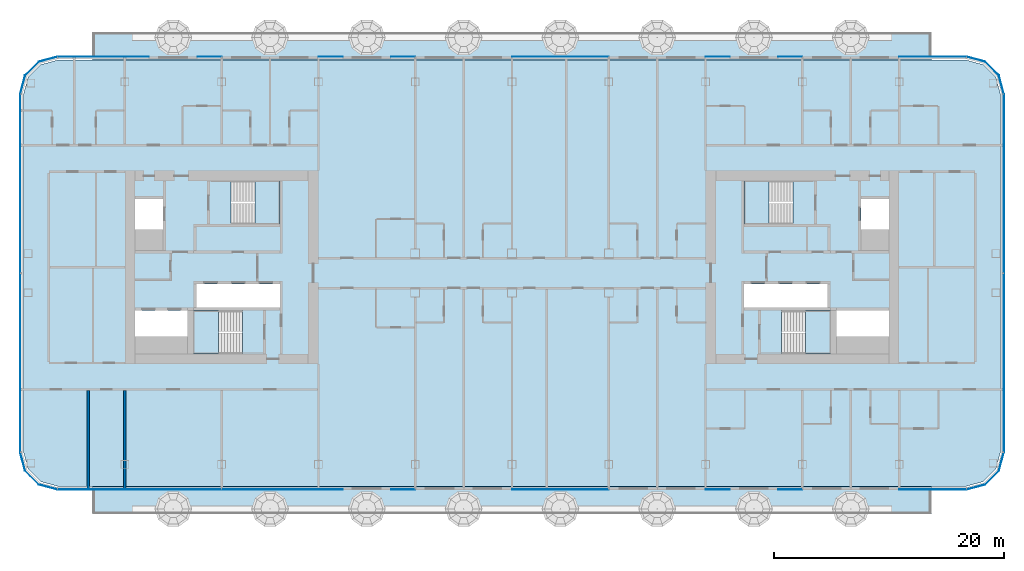
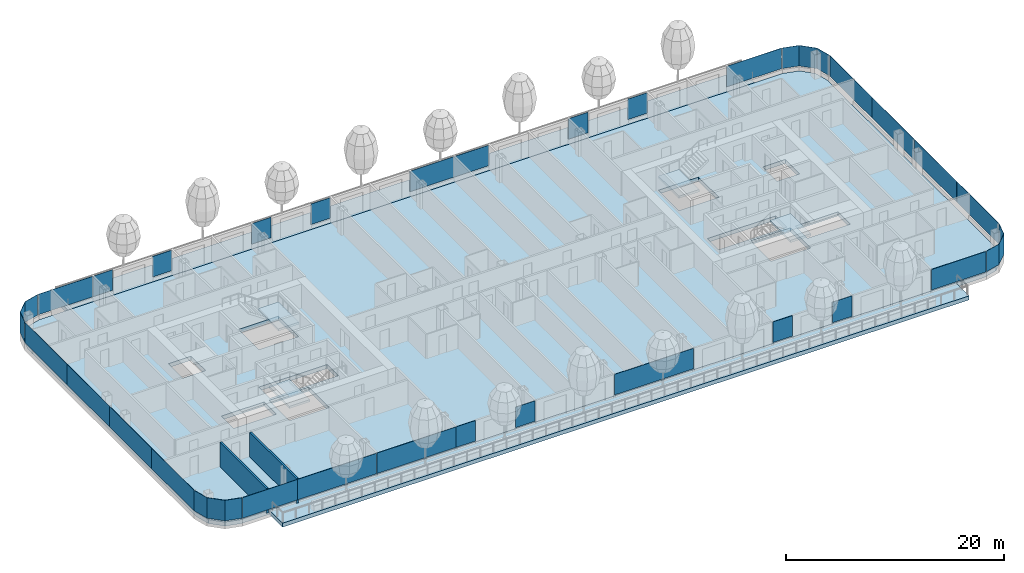
# One storey, part 9 of 30: 30 plates, 7 slabs, 2 walls, 12 elements without a shape of their own.
"""IFC4 building model written with IfcOpenShell, lengths in metres."""

from ifc_helpers import new_model, si_unit, direction, frame, frame_2d, origin, origin_2d, place, context, subcontext, project, spatial, polyline, rectangle, outline, extrude, material, layer, layer_set, type_object, element, aggregate, save


model = new_model("IFC4")

# Units and contexts
model_context = context("Model", 3, precision=1e-05, world=origin(), true_north=direction((0.0, 1.0)))
body_context = subcontext(model_context, "Body", "Model", "MODEL_VIEW")
ifc_project = project(units=[si_unit("LENGTHUNIT", "METRE"), si_unit("AREAUNIT", "SQUARE_METRE"), si_unit("VOLUMEUNIT", "CUBIC_METRE"), si_unit("PLANEANGLEUNIT", "RADIAN"), si_unit("MASSUNIT", "GRAM", prefix="KILO")], contexts=[model_context])

# Site, building, storey
site_placement = place(None, origin())
site = spatial("IfcSite", under=ifc_project, at=site_placement, CompositionType="ELEMENT")
building_placement = place(site_placement, origin())
building = spatial("IfcBuilding", under=site, at=building_placement, Name="Hakoniwa Tower and Hamabe Station Hall", CompositionType="ELEMENT")
storey_placement = place(building_placement, frame((0.0, 0.0, 137.39990234375)))
storey = spatial("IfcBuildingStorey", under=building, at=storey_placement, Name="L38", CompositionType="ELEMENT", Elevation=137.39990234375)

# Slabs
ifc_material_1 = material(Name="Concrete C42", Category="concrete")
ifc_layer_1 = layer(ifc_material_1, 0.25)
ifc_layer_set_1 = layer_set([ifc_layer_1], Name="BALCONY SLAB 250")
slab_type_1 = type_object("IfcSlabType", Name="BALCONY SLAB 250", PredefinedType="FLOOR", material=ifc_layer_set_1)
slab_1_placement = place(storey_placement, frame((0.0, 0.0, -0.449951171875)))
element("IfcSlab", 1, at=slab_1_placement, inside=storey, type_object=slab_type_1, Name="Balcony slab L38 BAL-L38-N", PredefinedType="FLOOR", context=body_context, shape_type="SweptSolid", body=[
    extrude(outline(polyline([(-36.39990234375, 18.0), (36.39990234375, 18.0), (36.39990234375, 20.39990234375), (-36.39990234375, 20.39990234375), (-36.39990234375, 18.0)])), origin(), (0.0, 0.0, 1.0), 0.449951171875),
])
slab_2_placement = place(storey_placement, frame((0.0, 0.0, -0.449951171875)))
element("IfcSlab", 2, at=slab_2_placement, inside=storey, type_object=slab_type_1, Name="Balcony slab L38 BAL-L38-S", PredefinedType="FLOOR", context=body_context, shape_type="SweptSolid", body=[
    extrude(outline(polyline([(-36.39990234375, -21.39990234375), (36.39990234375, -21.39990234375), (36.39990234375, -19.0), (-36.39990234375, -19.0), (-36.39990234375, -21.39990234375)])), origin(), (0.0, 0.0, 1.0), 0.449951171875),
])

# Stair, slab
ifc_material_2 = material(Name="Concrete C40", Category="concrete")
stair_type = type_object("IfcStairType", Name="ESCAPE STAIR 1800", PredefinedType="HALF_TURN_STAIR", material=ifc_material_2)
stair_1_placement = place(storey_placement, origin())
stair_1 = element("IfcStair", 3, at=stair_1_placement, inside=storey, type_object=stair_type, Name="Escape stair ST-1 L38", PredefinedType="HALF_TURN_STAIR")
ifc_material_3 = material(Name="Concrete C40", Category="concrete")
ifc_layer_2 = layer(ifc_material_3, 0.25)
ifc_layer_set_2 = layer_set([ifc_layer_2], Name="CORE STAIR LANDING 250")
slab_type_2 = type_object("IfcSlabType", Name="CORE STAIR LANDING 250", PredefinedType="LANDING", material=ifc_layer_set_2)
slab_3_placement = place(storey_placement, frame((0.0, 0.0, 1.35009765625)))
slab_3 = element("IfcSlab", 4, at=slab_3_placement, type_object=slab_type_2, Name="ST-1 landing 1", PredefinedType="LANDING", context=body_context, shape_type="SweptSolid", body=[
    extrude(outline(polyline([(-22.320068359375, 3.75), (-20.14990234375, 3.75), (-20.14990234375, 7.5), (-22.320068359375, 7.5), (-22.320068359375, 3.75)])), origin(), (0.0, 0.0, 1.0), 0.25),
])
aggregate(stair_1, [slab_3])

stair_2_placement = place(storey_placement, origin())
stair_2 = element("IfcStair", 5, at=stair_2_placement, inside=storey, type_object=stair_type, Name="Escape stair ST-2 L38", PredefinedType="HALF_TURN_STAIR")
slab_4_placement = place(storey_placement, frame((0.0, 0.0, 1.35009765625)))
slab_4 = element("IfcSlab", 6, at=slab_4_placement, type_object=slab_type_2, Name="ST-2 landing 1", PredefinedType="LANDING", context=body_context, shape_type="SweptSolid", body=[
    extrude(outline(polyline([(-25.47998046875, -7.5), (-27.64990234375, -7.5), (-27.64990234375, -3.75), (-25.47998046875, -3.75), (-25.47998046875, -7.5)])), origin(), (0.0, 0.0, 1.0), 0.25),
])
aggregate(stair_2, [slab_4])

stair_3_placement = place(storey_placement, origin())
stair_3 = element("IfcStair", 7, at=stair_3_placement, inside=storey, type_object=stair_type, Name="Escape stair ST-3 L38", PredefinedType="HALF_TURN_STAIR")
slab_5_placement = place(storey_placement, frame((0.0, 0.0, 1.35009765625)))
slab_5 = element("IfcSlab", 8, at=slab_5_placement, type_object=slab_type_2, Name="ST-3 landing 1", PredefinedType="LANDING", context=body_context, shape_type="SweptSolid", body=[
    extrude(outline(polyline([(22.320068359375, 3.75), (20.14990234375, 3.75), (20.14990234375, 7.5), (22.320068359375, 7.5), (22.320068359375, 3.75)])), origin(), (0.0, 0.0, 1.0), 0.25),
])
aggregate(stair_3, [slab_5])

stair_4_placement = place(storey_placement, origin())
stair_4 = element("IfcStair", 9, at=stair_4_placement, inside=storey, type_object=stair_type, Name="Escape stair ST-4 L38", PredefinedType="HALF_TURN_STAIR")
slab_6_placement = place(storey_placement, frame((0.0, 0.0, 1.35009765625)))
slab_6 = element("IfcSlab", 10, at=slab_6_placement, type_object=slab_type_2, Name="ST-4 landing 1", PredefinedType="LANDING", context=body_context, shape_type="SweptSolid", body=[
    extrude(outline(polyline([(25.47998046875, -7.5), (27.64990234375, -7.5), (27.64990234375, -3.75), (25.47998046875, -3.75), (25.47998046875, -7.5)])), origin(), (0.0, 0.0, 1.0), 0.25),
])
aggregate(stair_4, [slab_6])

# Curtain wall, plates
ifc_material_4 = material(Name="Dark low-e laminated glass", Category="glass")
ifc_layer_3 = layer(ifc_material_4, 0.199951171875)
ifc_layer_set_3 = layer_set([ifc_layer_3], Name="CW-1 UNITISED GUEST")
curtain_wall_type = type_object("IfcCurtainWallType", Name="CW-1 UNITISED GUEST", PredefinedType="NOTDEFINED", material=ifc_layer_set_3)
curtain_wall_1_placement = place(storey_placement, origin())
curtain_wall_1 = element("IfcCurtainWall", 11, at=curtain_wall_1_placement, inside=storey, type_object=curtain_wall_type, Name="CW-1 curtain wall", PredefinedType="NOTDEFINED")
ifc_material_5 = material(Name="Dark low-e laminated glass", Category="glass")
ifc_layer_4 = layer(ifc_material_5, 0.028076171875)
ifc_layer_set_4 = layer_set([ifc_layer_4], Name="CW-1 GLASS UNIT")
plate_type = type_object("IfcPlateType", Name="CW-1 GLASS UNIT", PredefinedType="CURTAIN_PANEL", material=ifc_layer_set_4)
plate_1_placement = place(storey_placement, frame((42.68603515625, -12.154541015625, 0.35009765625), z_axis=(0.0, 0.0, 1.0), x_axis=(0.0, 1.0, 0.0)))
plate_1 = element("IfcPlate", 12, at=plate_1_placement, type_object=plate_type, Name="CW-1 glass unit", PredefinedType="CURTAIN_PANEL", context=body_context, shape_type="SweptSolid", body=[
    extrude(rectangle(XDim=7.749755859375, YDim=0.028076171875, at=origin_2d()), origin(), (0.0, 0.0, 1.0), 2.300048828125),
])
plate_2_placement = place(storey_placement, frame((42.68603515625, -4.384765625, 0.35009765625), z_axis=(0.0, 0.0, 1.0), x_axis=(0.0, 1.0, 0.0)))
plate_2 = element("IfcPlate", 13, at=plate_2_placement, type_object=plate_type, Name="CW-1 glass unit", PredefinedType="CURTAIN_PANEL", context=body_context, shape_type="SweptSolid", body=[
    extrude(rectangle(XDim=7.749755859375, YDim=0.028076171875, at=origin_2d()), origin(), (0.0, 0.0, 1.0), 2.300048828125),
])
plate_3_placement = place(storey_placement, frame((42.68603515625, 3.384765625, 0.35009765625), z_axis=(0.0, 0.0, 1.0), x_axis=(0.0, 1.0, 0.0)))
plate_3 = element("IfcPlate", 14, at=plate_3_placement, type_object=plate_type, Name="CW-1 glass unit", PredefinedType="CURTAIN_PANEL", context=body_context, shape_type="SweptSolid", body=[
    extrude(rectangle(XDim=7.749755859375, YDim=0.028076171875, at=origin_2d()), origin(), (0.0, 0.0, 1.0), 2.300048828125),
])
plate_4_placement = place(storey_placement, frame((42.68603515625, 11.154541015625, 0.35009765625), z_axis=(0.0, 0.0, 1.0), x_axis=(0.0, 1.0, 0.0)))
plate_4 = element("IfcPlate", 15, at=plate_4_placement, type_object=plate_type, Name="CW-1 glass unit", PredefinedType="CURTAIN_PANEL", context=body_context, shape_type="SweptSolid", body=[
    extrude(rectangle(XDim=7.749755859375, YDim=0.028076171875, at=origin_2d()), origin(), (0.0, 0.0, 1.0), 2.300048828125),
])
aggregate(curtain_wall_1, [plate_1, plate_2, plate_3, plate_4])

# Curtain wall, plate
curtain_wall_2_placement = place(storey_placement, origin())
curtain_wall_2 = element("IfcCurtainWall", 16, at=curtain_wall_2_placement, inside=storey, type_object=curtain_wall_type, Name="CW-1 curtain wall", PredefinedType="NOTDEFINED")
plate_5_placement = place(storey_placement, frame((0.0, 0.0, 0.35009765625)))
plate_5 = element("IfcPlate", 17, at=plate_5_placement, type_object=plate_type, Name="CW-1 curved corner unit", PredefinedType="CURTAIN_PANEL", context=body_context, shape_type="SweptSolid", body=[
    extrude(outline(polyline([(42.689697265625, 15.078125), (42.26708984375, 16.6552734375), (41.05517578125, 17.866943359375), (39.47802734375, 18.28955078125), (39.470947265625, 18.2626953125), (41.040771484375, 17.842041015625), (42.241943359375, 16.640869140625), (42.66259765625, 15.07080078125), (42.689697265625, 15.078125)])), origin(), (0.0, 0.0, 1.0), 2.300048828125),
])
aggregate(curtain_wall_2, [plate_5])

# Curtain wall, plates
curtain_wall_3_placement = place(storey_placement, origin())
curtain_wall_3 = element("IfcCurtainWall", 18, at=curtain_wall_3_placement, inside=storey, type_object=curtain_wall_type, Name="CW-1 curtain wall", PredefinedType="NOTDEFINED")
plate_6_placement = place(storey_placement, frame((36.519775390625, 18.285888671875, 0.35009765625), z_axis=(0.0, 0.0, 1.0), x_axis=(-1.0, 0.0, 0.0)))
plate_6 = element("IfcPlate", 19, at=plate_6_placement, type_object=plate_type, Name="CW-1 glass unit", PredefinedType="CURTAIN_PANEL", context=body_context, shape_type="SweptSolid", body=[
    extrude(rectangle(XDim=5.819580078125, YDim=0.028076171875, at=origin_2d()), origin(), (0.0, 0.0, 1.0), 2.300048828125),
])
plate_7_placement = place(storey_placement, frame((24.14990234375, 18.285888671875, 0.35009765625), z_axis=(0.0, 0.0, 1.0), x_axis=(-1.0, 0.0, 0.0)))
plate_7 = element("IfcPlate", 20, at=plate_7_placement, type_object=plate_type, Name="CW-1 glass unit", PredefinedType="CURTAIN_PANEL", context=body_context, shape_type="SweptSolid", body=[
    extrude(rectangle(XDim=2.080078125, YDim=0.028076171875, at=origin_2d()), origin(), (0.0, 0.0, 1.0), 2.300048828125),
])
plate_8_placement = place(storey_placement, frame((17.85009765625, 18.285888671875, 0.35009765625), z_axis=(0.0, 0.0, 1.0), x_axis=(-1.0, 0.0, 0.0)))
plate_8 = element("IfcPlate", 21, at=plate_8_placement, type_object=plate_type, Name="CW-1 glass unit", PredefinedType="CURTAIN_PANEL", context=body_context, shape_type="SweptSolid", body=[
    extrude(rectangle(XDim=2.080078125, YDim=0.028076171875, at=origin_2d()), origin(), (0.0, 0.0, 1.0), 2.300048828125),
])
plate_9_placement = place(storey_placement, frame((4.199951171875, 18.285888671875, 0.35009765625), z_axis=(0.0, 0.0, 1.0), x_axis=(-1.0, 0.0, 0.0)))
plate_9 = element("IfcPlate", 22, at=plate_9_placement, type_object=plate_type, Name="CW-1 glass unit", PredefinedType="CURTAIN_PANEL", context=body_context, shape_type="SweptSolid", body=[
    extrude(rectangle(XDim=8.3798828125, YDim=0.028076171875, at=origin_2d()), origin(), (0.0, 0.0, 1.0), 2.300048828125),
])
plate_10_placement = place(storey_placement, frame((-9.449951171875, 18.285888671875, 0.35009765625), z_axis=(0.0, 0.0, 1.0), x_axis=(-1.0, 0.0, 0.0)))
plate_10 = element("IfcPlate", 23, at=plate_10_placement, type_object=plate_type, Name="CW-1 glass unit", PredefinedType="CURTAIN_PANEL", context=body_context, shape_type="SweptSolid", body=[
    extrude(rectangle(XDim=2.080078125, YDim=0.028076171875, at=origin_2d()), origin(), (0.0, 0.0, 1.0), 2.300048828125),
])
plate_11_placement = place(storey_placement, frame((-15.75, 18.285888671875, 0.35009765625), z_axis=(0.0, 0.0, 1.0), x_axis=(-1.0, 0.0, 0.0)))
plate_11 = element("IfcPlate", 24, at=plate_11_placement, type_object=plate_type, Name="CW-1 glass unit", PredefinedType="CURTAIN_PANEL", context=body_context, shape_type="SweptSolid", body=[
    extrude(rectangle(XDim=2.080078125, YDim=0.028076171875, at=origin_2d()), origin(), (0.0, 0.0, 1.0), 2.300048828125),
])
plate_12_placement = place(storey_placement, frame((-26.25, 18.285888671875, 0.35009765625), z_axis=(0.0, 0.0, 1.0), x_axis=(-1.0, 0.0, 0.0)))
plate_12 = element("IfcPlate", 25, at=plate_12_placement, type_object=plate_type, Name="CW-1 glass unit", PredefinedType="CURTAIN_PANEL", context=body_context, shape_type="SweptSolid", body=[
    extrude(rectangle(XDim=2.080078125, YDim=0.028076171875, at=origin_2d()), origin(), (0.0, 0.0, 1.0), 2.300048828125),
])
plate_13_placement = place(storey_placement, frame((-32.550048828125, 18.285888671875, 0.35009765625), z_axis=(0.0, 0.0, 1.0), x_axis=(-1.0, 0.0, 0.0)))
plate_13 = element("IfcPlate", 26, at=plate_13_placement, type_object=plate_type, Name="CW-1 glass unit", PredefinedType="CURTAIN_PANEL", context=body_context, shape_type="SweptSolid", body=[
    extrude(rectangle(XDim=2.080078125, YDim=0.028076171875, at=origin_2d()), origin(), (0.0, 0.0, 1.0), 2.300048828125),
])
plate_14_placement = place(storey_placement, frame((-36.519775390625, 18.285888671875, 0.35009765625), z_axis=(0.0, 0.0, 1.0), x_axis=(-1.0, 0.0, 0.0)))
plate_14 = element("IfcPlate", 27, at=plate_14_placement, type_object=plate_type, Name="CW-1 glass unit", PredefinedType="CURTAIN_PANEL", context=body_context, shape_type="SweptSolid", body=[
    extrude(rectangle(XDim=5.819580078125, YDim=0.028076171875, at=origin_2d()), origin(), (0.0, 0.0, 1.0), 2.300048828125),
])
aggregate(curtain_wall_3, [plate_6, plate_7, plate_8, plate_9, plate_10, plate_11, plate_12, plate_13, plate_14])

# Curtain wall, plate
curtain_wall_4_placement = place(storey_placement, origin())
curtain_wall_4 = element("IfcCurtainWall", 28, at=curtain_wall_4_placement, inside=storey, type_object=curtain_wall_type, Name="CW-1 curtain wall", PredefinedType="NOTDEFINED")
plate_15_placement = place(storey_placement, frame((0.0, 0.0, 0.35009765625)))
plate_15 = element("IfcPlate", 29, at=plate_15_placement, type_object=plate_type, Name="CW-1 curved corner unit", PredefinedType="CURTAIN_PANEL", context=body_context, shape_type="SweptSolid", body=[
    extrude(outline(polyline([(-39.47802734375, 18.28955078125), (-41.05517578125, 17.866943359375), (-42.26708984375, 16.6552734375), (-42.689697265625, 15.078125), (-42.66259765625, 15.07080078125), (-42.241943359375, 16.640869140625), (-41.040771484375, 17.842041015625), (-39.470947265625, 18.2626953125), (-39.47802734375, 18.28955078125)])), origin(), (0.0, 0.0, 1.0), 2.300048828125),
])
aggregate(curtain_wall_4, [plate_15])

# Curtain wall, plates
curtain_wall_5_placement = place(storey_placement, origin())
curtain_wall_5 = element("IfcCurtainWall", 30, at=curtain_wall_5_placement, inside=storey, type_object=curtain_wall_type, Name="CW-1 curtain wall", PredefinedType="NOTDEFINED")
plate_16_placement = place(storey_placement, frame((-42.68603515625, 11.154541015625, 0.35009765625), z_axis=(0.0, 0.0, 1.0), x_axis=(0.0, -1.0, 0.0)))
plate_16 = element("IfcPlate", 31, at=plate_16_placement, type_object=plate_type, Name="CW-1 glass unit", PredefinedType="CURTAIN_PANEL", context=body_context, shape_type="SweptSolid", body=[
    extrude(rectangle(XDim=7.749755859375, YDim=0.028076171875, at=origin_2d()), origin(), (0.0, 0.0, 1.0), 2.300048828125),
])
plate_17_placement = place(storey_placement, frame((-42.68603515625, 3.384765625, 0.35009765625), z_axis=(0.0, 0.0, 1.0), x_axis=(0.0, -1.0, 0.0)))
plate_17 = element("IfcPlate", 32, at=plate_17_placement, type_object=plate_type, Name="CW-1 glass unit", PredefinedType="CURTAIN_PANEL", context=body_context, shape_type="SweptSolid", body=[
    extrude(rectangle(XDim=7.749755859375, YDim=0.028076171875, at=origin_2d()), origin(), (0.0, 0.0, 1.0), 2.300048828125),
])
plate_18_placement = place(storey_placement, frame((-42.68603515625, -4.384765625, 0.35009765625), z_axis=(0.0, 0.0, 1.0), x_axis=(0.0, -1.0, 0.0)))
plate_18 = element("IfcPlate", 33, at=plate_18_placement, type_object=plate_type, Name="CW-1 glass unit", PredefinedType="CURTAIN_PANEL", context=body_context, shape_type="SweptSolid", body=[
    extrude(rectangle(XDim=7.749755859375, YDim=0.028076171875, at=origin_2d()), origin(), (0.0, 0.0, 1.0), 2.300048828125),
])
plate_19_placement = place(storey_placement, frame((-42.68603515625, -12.154541015625, 0.35009765625), z_axis=(0.0, 0.0, 1.0), x_axis=(0.0, -1.0, 0.0)))
plate_19 = element("IfcPlate", 34, at=plate_19_placement, type_object=plate_type, Name="CW-1 glass unit", PredefinedType="CURTAIN_PANEL", context=body_context, shape_type="SweptSolid", body=[
    extrude(rectangle(XDim=7.749755859375, YDim=0.028076171875, at=origin_2d()), origin(), (0.0, 0.0, 1.0), 2.300048828125),
])
aggregate(curtain_wall_5, [plate_16, plate_17, plate_18, plate_19])

# Curtain wall, plate
curtain_wall_6_placement = place(storey_placement, origin())
curtain_wall_6 = element("IfcCurtainWall", 35, at=curtain_wall_6_placement, inside=storey, type_object=curtain_wall_type, Name="CW-1 curtain wall", PredefinedType="NOTDEFINED")
plate_20_placement = place(storey_placement, frame((0.0, 0.0, 0.35009765625)))
plate_20 = element("IfcPlate", 36, at=plate_20_placement, type_object=plate_type, Name="CW-1 curved corner unit", PredefinedType="CURTAIN_PANEL", context=body_context, shape_type="SweptSolid", body=[
    extrude(outline(polyline([(-42.689697265625, -16.078125), (-42.26708984375, -17.6552734375), (-41.05517578125, -18.866943359375), (-39.47802734375, -19.28955078125), (-39.470947265625, -19.2626953125), (-41.040771484375, -18.842041015625), (-42.241943359375, -17.640869140625), (-42.66259765625, -16.07080078125), (-42.689697265625, -16.078125)])), origin(), (0.0, 0.0, 1.0), 2.300048828125),
])
aggregate(curtain_wall_6, [plate_20])

# Curtain wall, plates
curtain_wall_7_placement = place(storey_placement, origin())
curtain_wall_7 = element("IfcCurtainWall", 37, at=curtain_wall_7_placement, inside=storey, type_object=curtain_wall_type, Name="CW-1 curtain wall", PredefinedType="NOTDEFINED")
plate_21_placement = place(storey_placement, frame((-36.519775390625, -19.285888671875, 0.35009765625), z_axis=(0.0, 0.0, 1.0), x_axis=(1.0, 0.0, 0.0)))
plate_21 = element("IfcPlate", 38, at=plate_21_placement, type_object=plate_type, Name="CW-1 glass unit", PredefinedType="CURTAIN_PANEL", context=body_context, shape_type="SweptSolid", body=[
    extrude(rectangle(XDim=5.819580078125, YDim=0.028076171875, at=origin_2d()), origin(), (0.0, 0.0, 1.0), 2.300048828125),
])
plate_22_placement = place(storey_placement, frame((-29.39990234375, -19.285888671875, 0.35009765625), z_axis=(0.0, 0.0, 1.0), x_axis=(1.0, 0.0, 0.0)))
plate_22 = element("IfcPlate", 39, at=plate_22_placement, type_object=plate_type, Name="CW-1 glass unit", PredefinedType="CURTAIN_PANEL", context=body_context, shape_type="SweptSolid", body=[
    extrude(rectangle(XDim=8.3798828125, YDim=0.028076171875, at=origin_2d()), origin(), (0.0, 0.0, 1.0), 2.300048828125),
])
plate_23_placement = place(storey_placement, frame((-21.0, -19.285888671875, 0.35009765625), z_axis=(0.0, 0.0, 1.0), x_axis=(1.0, 0.0, 0.0)))
plate_23 = element("IfcPlate", 40, at=plate_23_placement, type_object=plate_type, Name="CW-1 glass unit", PredefinedType="CURTAIN_PANEL", context=body_context, shape_type="SweptSolid", body=[
    extrude(rectangle(XDim=8.3798828125, YDim=0.028076171875, at=origin_2d()), origin(), (0.0, 0.0, 1.0), 2.300048828125),
])
plate_24_placement = place(storey_placement, frame((-15.75, -19.285888671875, 0.35009765625), z_axis=(0.0, 0.0, 1.0), x_axis=(1.0, 0.0, 0.0)))
plate_24 = element("IfcPlate", 41, at=plate_24_placement, type_object=plate_type, Name="CW-1 glass unit", PredefinedType="CURTAIN_PANEL", context=body_context, shape_type="SweptSolid", body=[
    extrude(rectangle(XDim=2.080078125, YDim=0.028076171875, at=origin_2d()), origin(), (0.0, 0.0, 1.0), 2.300048828125),
])
plate_25_placement = place(storey_placement, frame((-9.449951171875, -19.285888671875, 0.35009765625), z_axis=(0.0, 0.0, 1.0), x_axis=(1.0, 0.0, 0.0)))
plate_25 = element("IfcPlate", 42, at=plate_25_placement, type_object=plate_type, Name="CW-1 glass unit", PredefinedType="CURTAIN_PANEL", context=body_context, shape_type="SweptSolid", body=[
    extrude(rectangle(XDim=2.080078125, YDim=0.028076171875, at=origin_2d()), origin(), (0.0, 0.0, 1.0), 2.300048828125),
])
plate_26_placement = place(storey_placement, frame((4.199951171875, -19.285888671875, 0.35009765625), z_axis=(0.0, 0.0, 1.0), x_axis=(1.0, 0.0, 0.0)))
plate_26 = element("IfcPlate", 43, at=plate_26_placement, type_object=plate_type, Name="CW-1 glass unit", PredefinedType="CURTAIN_PANEL", context=body_context, shape_type="SweptSolid", body=[
    extrude(rectangle(XDim=8.3798828125, YDim=0.028076171875, at=origin_2d()), origin(), (0.0, 0.0, 1.0), 2.300048828125),
])
plate_27_placement = place(storey_placement, frame((17.85009765625, -19.285888671875, 0.35009765625), z_axis=(0.0, 0.0, 1.0), x_axis=(1.0, 0.0, 0.0)))
plate_27 = element("IfcPlate", 44, at=plate_27_placement, type_object=plate_type, Name="CW-1 glass unit", PredefinedType="CURTAIN_PANEL", context=body_context, shape_type="SweptSolid", body=[
    extrude(rectangle(XDim=2.080078125, YDim=0.028076171875, at=origin_2d()), origin(), (0.0, 0.0, 1.0), 2.300048828125),
])
plate_28_placement = place(storey_placement, frame((24.14990234375, -19.285888671875, 0.35009765625), z_axis=(0.0, 0.0, 1.0), x_axis=(1.0, 0.0, 0.0)))
plate_28 = element("IfcPlate", 45, at=plate_28_placement, type_object=plate_type, Name="CW-1 glass unit", PredefinedType="CURTAIN_PANEL", context=body_context, shape_type="SweptSolid", body=[
    extrude(rectangle(XDim=2.080078125, YDim=0.028076171875, at=origin_2d()), origin(), (0.0, 0.0, 1.0), 2.300048828125),
])
plate_29_placement = place(storey_placement, frame((36.519775390625, -19.285888671875, 0.35009765625), z_axis=(0.0, 0.0, 1.0), x_axis=(1.0, 0.0, 0.0)))
plate_29 = element("IfcPlate", 46, at=plate_29_placement, type_object=plate_type, Name="CW-1 glass unit", PredefinedType="CURTAIN_PANEL", context=body_context, shape_type="SweptSolid", body=[
    extrude(rectangle(XDim=5.819580078125, YDim=0.028076171875, at=origin_2d()), origin(), (0.0, 0.0, 1.0), 2.300048828125),
])
aggregate(curtain_wall_7, [plate_21, plate_22, plate_23, plate_24, plate_25, plate_26, plate_27, plate_28, plate_29])

# Curtain wall, plate
curtain_wall_8_placement = place(storey_placement, origin())
curtain_wall_8 = element("IfcCurtainWall", 47, at=curtain_wall_8_placement, inside=storey, type_object=curtain_wall_type, Name="CW-1 curtain wall", PredefinedType="NOTDEFINED")
plate_30_placement = place(storey_placement, frame((0.0, 0.0, 0.35009765625)))
plate_30 = element("IfcPlate", 48, at=plate_30_placement, type_object=plate_type, Name="CW-1 curved corner unit", PredefinedType="CURTAIN_PANEL", context=body_context, shape_type="SweptSolid", body=[
    extrude(outline(polyline([(39.47802734375, -19.28955078125), (41.05517578125, -18.866943359375), (42.26708984375, -17.6552734375), (42.689697265625, -16.078125), (42.66259765625, -16.07080078125), (42.241943359375, -17.640869140625), (41.040771484375, -18.842041015625), (39.470947265625, -19.2626953125), (39.47802734375, -19.28955078125)])), origin(), (0.0, 0.0, 1.0), 2.300048828125),
])
aggregate(curtain_wall_8, [plate_30])

# Slab
ifc_material_6 = material(Name="Concrete C42", Category="concrete")
ifc_layer_5 = layer(ifc_material_6, 0.449951171875)
ifc_layer_set_5 = layer_set([ifc_layer_5], Name="PT FLAT PLATE 450")
slab_type_3 = type_object("IfcSlabType", Name="PT FLAT PLATE 450", PredefinedType="FLOOR", material=ifc_layer_set_5)
slab_7_placement = place(storey_placement, frame((0.0, 0.0, -0.449951171875)))
element("IfcSlab", 49, at=slab_7_placement, inside=storey, type_object=slab_type_3, Name="Floor slab L38", PredefinedType="FLOOR", context=body_context, shape_type="SweptSolid", body=[
    extrude(outline(polyline([(42.39990234375, -16.0), (42.39990234375, 15.0), (41.998046875, 16.5), (40.89990234375, 17.59814453125), (39.39990234375, 18.0), (-39.39990234375, 18.0), (-40.89990234375, 17.59814453125), (-41.998046875, 16.5), (-42.39990234375, 15.0), (-42.39990234375, -16.0), (-41.998046875, -17.5), (-40.89990234375, -18.59814453125), (-39.39990234375, -19.0), (39.39990234375, -19.0), (40.89990234375, -18.59814453125), (41.998046875, -17.5), (42.39990234375, -16.0)]), holes=[polyline([(-27.39990234375, -3.5), (-27.39990234375, -1.449951171875), (-20.14990234375, -1.449951171875), (-20.14990234375, -3.5), (-27.39990234375, -3.5)]), polyline([(-32.699951171875, 3.300048828125), (-32.699951171875, 5.949951171875), (-30.300048828125, 5.949951171875), (-30.300048828125, 3.300048828125), (-32.699951171875, 3.300048828125)]), polyline([(-32.699951171875, -6.0), (-32.699951171875, -3.75), (-28.14990234375, -3.75), (-28.14990234375, -6.0), (-32.699951171875, -6.0)]), polyline([(-24.389892578125, 3.75), (-24.389892578125, 7.5), (-20.14990234375, 7.5), (-20.14990234375, 3.75), (-24.389892578125, 3.75)]), polyline([(-27.64990234375, -7.5), (-27.64990234375, -3.75), (-23.409912109375, -3.75), (-23.409912109375, -7.5), (-27.64990234375, -7.5)]), polyline([(20.14990234375, -3.5), (20.14990234375, -1.449951171875), (27.39990234375, -1.449951171875), (27.39990234375, -3.5), (20.14990234375, -3.5)]), polyline([(30.300048828125, 3.300048828125), (30.300048828125, 5.949951171875), (32.699951171875, 5.949951171875), (32.699951171875, 3.300048828125), (30.300048828125, 3.300048828125)]), polyline([(28.14990234375, -6.0), (28.14990234375, -3.75), (32.699951171875, -3.75), (32.699951171875, -6.0), (28.14990234375, -6.0)]), polyline([(20.14990234375, 3.75), (20.14990234375, 7.5), (24.389892578125, 7.5), (24.389892578125, 3.75), (20.14990234375, 3.75)]), polyline([(23.409912109375, -7.5), (23.409912109375, -3.75), (27.64990234375, -3.75), (27.64990234375, -7.5), (23.409912109375, -7.5)])]), origin(), (0.0, 0.0, 1.0), 0.449951171875),
])

# Walls
ifc_material_7 = material(Name="Fire-rated gypsum board partition", Category="gypsum")
ifc_layer_6 = layer(ifc_material_7, 0.199951171875)
ifc_layer_set_6 = layer_set([ifc_layer_6], Name="Party Wall 200")
wall_type = type_object("IfcWallType", Name="Party Wall 200", PredefinedType="PARTITIONING", material=ifc_layer_set_6)
for number, where, z_axis, x_axis, name in (
    (50, (-36.77001953125, -19.300048828125, 0.0), (0.0, 0.0, 1.0), (0.0, 1.0, 0.0), "GW-L38-039"),
    (51, (-33.60009765625, -19.300048828125, 0.0), (0.0, 0.0, 1.0), (0.0, 1.0, 0.0), "GW-L38-043"),
):
    element("IfcWall", number, at=place(storey_placement, frame(where, z_axis=z_axis, x_axis=x_axis)), inside=storey, type_object=wall_type, Name=name, PredefinedType="PARTITIONING", context=body_context, shape_type="SweptSolid", body=[
        extrude(rectangle(XDim=8.60009765625, YDim=0.199951171875, at=frame_2d((4.300048828125, 0.0))), origin(), (0.0, 0.0, 1.0), 2.75),
    ])

save(model, "model.ifc")
